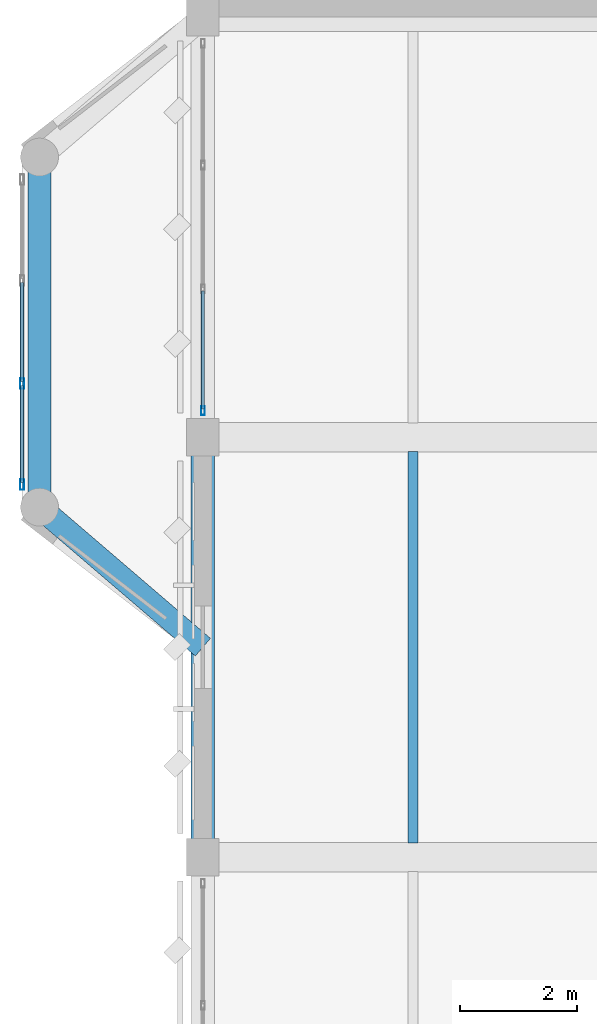
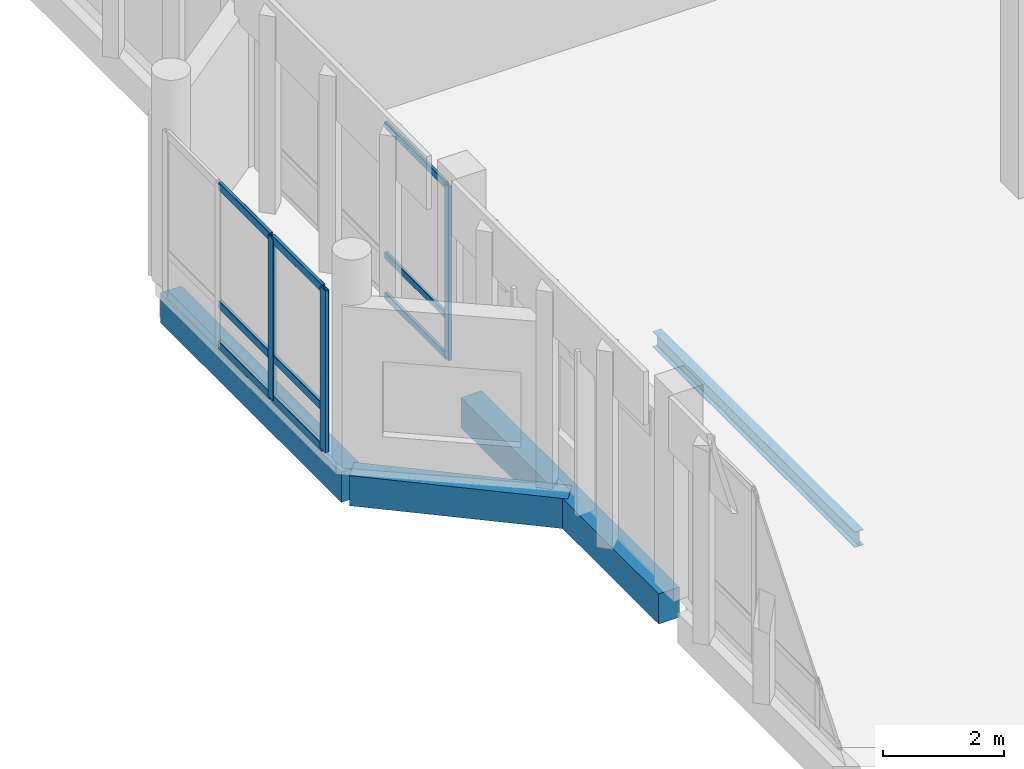
# One storey, part 11 of 158: 12 members, 4 beams, 2 elements without a shape of their own.
"""IFC4 building model written with IfcOpenShell, lengths in metres."""

from ifc_helpers import new_model, si_unit, direction, frame, origin, origin_2d, place, context, subcontext, project, spatial, rectangle, hollow_rectangle, i_section, extrude, material, material_profile, profile_set, type_object, element, aggregate, save


model = new_model("IFC4")

# Units and contexts
model_context = context("Model", 3, precision=1e-05, world=origin(), true_north=direction((0.0, 1.0)))
body_context = subcontext(model_context, "Body", "Model", "MODEL_VIEW")
ifc_project = project(units=[si_unit("LENGTHUNIT", "METRE"), si_unit("AREAUNIT", "SQUARE_METRE"), si_unit("VOLUMEUNIT", "CUBIC_METRE"), si_unit("PLANEANGLEUNIT", "RADIAN"), si_unit("MASSUNIT", "GRAM", prefix="KILO")], contexts=[model_context])

# Site, building, storey
site_placement = place(None, origin())
site = spatial("IfcSite", under=ifc_project, at=site_placement, CompositionType="ELEMENT")
building_placement = place(site_placement, origin())
building = spatial("IfcBuilding", under=site, at=building_placement, Name="Lusvemor Sports Hall", CompositionType="ELEMENT")
storey_placement = place(building_placement, frame((0.0, 0.0, 10.800048828125)))
storey = spatial("IfcBuildingStorey", under=building, at=storey_placement, Name="L02", CompositionType="ELEMENT", Elevation=10.800048828125)

# Curtain wall, members
ifc_material_1 = material(Name="Thermally broken bronze-anodized aluminium", Category="aluminium")
curtain_wall_type_1 = type_object("IfcCurtainWallType", Name="CW_FOYER_A", PredefinedType="NOTDEFINED", material=ifc_material_1)
curtain_wall_1_placement = place(storey_placement, origin())
curtain_wall_1 = element("IfcCurtainWall", 1, at=curtain_wall_1_placement, inside=storey, type_object=curtain_wall_type_1, Name="Curtain Wall CW-BOW-W1-L02-M", PredefinedType="NOTDEFINED")
ifc_material_2 = material(Name="Thermally broken bronze-anodized aluminium", Category="aluminium")
ifc_material_profile_1 = material_profile(ifc_material_2, hollow_rectangle(XDim=0.070068359375, YDim=0.179931640625, WallThickness=0.0048828125, InnerFilletRadius=0.0048828125, OuterFilletRadius=0.010009765625, at=origin_2d()), Name="CWMUL180x70x5")
ifc_profile_set_1 = profile_set([ifc_material_profile_1], Name="Thermally broken bronze-anodized aluminium")
member_type_1 = type_object("IfcMemberType", Name="CW_MUL_A", PredefinedType="MULLION", material=ifc_profile_set_1)
member_1_placement = place(storey_placement, frame((-3.10009765625, 60.385009765625, 0.0), z_axis=(0.0, 0.0, 1.0), x_axis=(-1.0, 0.0, 0.0)))
member_1 = element("IfcMember", 2, at=member_1_placement, type_object=member_type_1, Name="CW01 mullion 1", PredefinedType="MULLION", context=body_context, shape_type="SweptSolid", body=[
    extrude(hollow_rectangle(XDim=0.070068359375, YDim=0.179931640625, WallThickness=0.0048828125, InnerFilletRadius=0.0048828125, OuterFilletRadius=0.010009765625, at=origin_2d()), origin(), (0.0, 0.0, 1.0), 3.280029296875),
])
member_2_placement = place(storey_placement, frame((-3.10009765625, 62.11669921875, 0.0), z_axis=(0.0, 0.0, 1.0), x_axis=(-1.0, 0.0, 0.0)))
member_2 = element("IfcMember", 3, at=member_2_placement, type_object=member_type_1, Name="CW01 mullion 2", PredefinedType="MULLION", context=body_context, shape_type="SweptSolid", body=[
    extrude(hollow_rectangle(XDim=0.070068359375, YDim=0.179931640625, WallThickness=0.0048828125, InnerFilletRadius=0.0048828125, OuterFilletRadius=0.010009765625, at=origin_2d()), origin(), (0.0, 0.0, 1.0), 3.280029296875),
])

# Curtain wall, member
ifc_material_3 = material(Name="Thermally broken bronze-anodized aluminium", Category="aluminium")
curtain_wall_type_2 = type_object("IfcCurtainWallType", Name="CW_WING_B", PredefinedType="NOTDEFINED", material=ifc_material_3)
curtain_wall_2_placement = place(storey_placement, origin())
curtain_wall_2 = element("IfcCurtainWall", 4, at=curtain_wall_2_placement, inside=storey, type_object=curtain_wall_type_2, Name="Curtain Wall CW-L02-W-0-2", PredefinedType="NOTDEFINED")
ifc_material_4 = material(Name="Thermally broken bronze-anodized aluminium", Category="aluminium")
ifc_material_profile_2 = material_profile(ifc_material_4, hollow_rectangle(XDim=0.06494140625, YDim=0.14990234375, WallThickness=0.00390625, InnerFilletRadius=0.00390625, OuterFilletRadius=0.008056640625, at=origin_2d()), Name="CWMUL150x65x4")
ifc_profile_set_2 = profile_set([ifc_material_profile_2], Name="Thermally broken bronze-anodized aluminium")
member_type_2 = type_object("IfcMemberType", Name="CW_MUL_B", PredefinedType="MULLION", material=ifc_profile_set_2)
member_3_placement = place(storey_placement, frame((0.0, 61.652587890625, 0.0), z_axis=(0.0, 0.0, 1.0), x_axis=(-1.0, 0.0, 0.0)))
member_3 = element("IfcMember", 5, at=member_3_placement, type_object=member_type_2, Name="CW02 mullion 1", PredefinedType="MULLION", context=body_context, shape_type="SweptSolid", body=[
    extrude(hollow_rectangle(XDim=0.06494140625, YDim=0.14990234375, WallThickness=0.00390625, InnerFilletRadius=0.00390625, OuterFilletRadius=0.008056640625, at=origin_2d()), origin(), (0.0, 0.0, 1.0), 3.52001953125),
])

# Member
ifc_material_5 = material(Name="Thermally broken bronze-anodized aluminium", Category="aluminium")
ifc_material_profile_3 = material_profile(ifc_material_5, hollow_rectangle(XDim=0.06494140625, YDim=0.159912109375, WallThickness=0.00390625, InnerFilletRadius=0.00390625, OuterFilletRadius=0.008056640625, at=origin_2d()), Name="CWTRN160x65x4")
ifc_profile_set_3 = profile_set([ifc_material_profile_3], Name="Thermally broken bronze-anodized aluminium")
member_type_3 = type_object("IfcMemberType", Name="CW_TRN_A", PredefinedType="USERDEFINED", material=ifc_profile_set_3)
member_4_placement = place(storey_placement, frame((-3.10009765625, 60.419921875, 0.032470703125), z_axis=(0.0, 1.0, 0.0), x_axis=(-1.0, 0.0, 0.0)))
member_4 = element("IfcMember", 6, at=member_4_placement, type_object=member_type_3, Name="CW01 transom 1.1", ObjectType="TRANSOM", PredefinedType="USERDEFINED", context=body_context, shape_type="SweptSolid", body=[
    extrude(hollow_rectangle(XDim=0.06494140625, YDim=0.159912109375, WallThickness=0.00390625, InnerFilletRadius=0.00390625, OuterFilletRadius=0.008056640625, at=origin_2d()), origin(), (0.0, 0.0, 1.0), 1.661865234375),
])

member_5_placement = place(storey_placement, frame((-3.10009765625, 60.419921875, 0.849853515625), z_axis=(0.0, 1.0, 0.0), x_axis=(-1.0, 0.0, 0.0)))
member_5 = element("IfcMember", 7, at=member_5_placement, type_object=member_type_3, Name="CW01 transom 1.2", ObjectType="TRANSOM", PredefinedType="USERDEFINED", context=body_context, shape_type="SweptSolid", body=[
    extrude(hollow_rectangle(XDim=0.06494140625, YDim=0.159912109375, WallThickness=0.00390625, InnerFilletRadius=0.00390625, OuterFilletRadius=0.008056640625, at=origin_2d()), origin(), (0.0, 0.0, 1.0), 1.661865234375),
])

member_6_placement = place(storey_placement, frame((-3.10009765625, 60.419921875, 3.24755859375), z_axis=(0.0, 1.0, 0.0), x_axis=(-1.0, 0.0, 0.0)))
member_6 = element("IfcMember", 8, at=member_6_placement, type_object=member_type_3, Name="CW01 transom 1.3", ObjectType="TRANSOM", PredefinedType="USERDEFINED", context=body_context, shape_type="SweptSolid", body=[
    extrude(hollow_rectangle(XDim=0.06494140625, YDim=0.159912109375, WallThickness=0.00390625, InnerFilletRadius=0.00390625, OuterFilletRadius=0.008056640625, at=origin_2d()), origin(), (0.0, 0.0, 1.0), 1.661865234375),
])

member_7_placement = place(storey_placement, frame((-3.10009765625, 62.151611328125, 0.032470703125), z_axis=(0.0, 1.0, 0.0), x_axis=(-1.0, 0.0, 0.0)))
member_7 = element("IfcMember", 9, at=member_7_placement, type_object=member_type_3, Name="CW01 transom 2.1", ObjectType="TRANSOM", PredefinedType="USERDEFINED", context=body_context, shape_type="SweptSolid", body=[
    extrude(hollow_rectangle(XDim=0.06494140625, YDim=0.159912109375, WallThickness=0.00390625, InnerFilletRadius=0.00390625, OuterFilletRadius=0.008056640625, at=origin_2d()), origin(), (0.0, 0.0, 1.0), 1.69677734375),
])

member_8_placement = place(storey_placement, frame((-3.10009765625, 62.151611328125, 0.849853515625), z_axis=(0.0, 1.0, 0.0), x_axis=(-1.0, 0.0, 0.0)))
member_8 = element("IfcMember", 10, at=member_8_placement, type_object=member_type_3, Name="CW01 transom 2.2", ObjectType="TRANSOM", PredefinedType="USERDEFINED", context=body_context, shape_type="SweptSolid", body=[
    extrude(hollow_rectangle(XDim=0.06494140625, YDim=0.159912109375, WallThickness=0.00390625, InnerFilletRadius=0.00390625, OuterFilletRadius=0.008056640625, at=origin_2d()), origin(), (0.0, 0.0, 1.0), 1.69677734375),
])

member_9_placement = place(storey_placement, frame((-3.10009765625, 62.151611328125, 3.24755859375), z_axis=(0.0, 1.0, 0.0), x_axis=(-1.0, 0.0, 0.0)))
member_9 = element("IfcMember", 11, at=member_9_placement, type_object=member_type_3, Name="CW01 transom 2.3", ObjectType="TRANSOM", PredefinedType="USERDEFINED", context=body_context, shape_type="SweptSolid", body=[
    extrude(hollow_rectangle(XDim=0.06494140625, YDim=0.159912109375, WallThickness=0.00390625, InnerFilletRadius=0.00390625, OuterFilletRadius=0.008056640625, at=origin_2d()), origin(), (0.0, 0.0, 1.0), 1.69677734375),
])

aggregate(curtain_wall_1, [member_1, member_2, member_4, member_5, member_6, member_7, member_8, member_9])

ifc_material_6 = material(Name="Thermally broken bronze-anodized aluminium", Category="aluminium")
ifc_material_profile_4 = material_profile(ifc_material_6, hollow_rectangle(XDim=0.06005859375, YDim=0.135009765625, WallThickness=0.00390625, InnerFilletRadius=0.00390625, OuterFilletRadius=0.008056640625, at=origin_2d()), Name="CWTRN135x60x4")
ifc_profile_set_4 = profile_set([ifc_material_profile_4], Name="Thermally broken bronze-anodized aluminium")
member_type_4 = type_object("IfcMemberType", Name="CW_TRN_B", PredefinedType="USERDEFINED", material=ifc_profile_set_4)
member_10_placement = place(storey_placement, frame((0.0, 61.68505859375, 0.030029296875), z_axis=(0.0, 1.0, 0.0), x_axis=(-1.0, 0.0, 0.0)))
member_10 = element("IfcMember", 12, at=member_10_placement, type_object=member_type_4, Name="CW02 transom 1.1", ObjectType="TRANSOM", PredefinedType="USERDEFINED", context=body_context, shape_type="SweptSolid", body=[
    extrude(hollow_rectangle(XDim=0.06005859375, YDim=0.135009765625, WallThickness=0.00390625, InnerFilletRadius=0.00390625, OuterFilletRadius=0.008056640625, at=origin_2d()), origin(), (0.0, 0.0, 1.0), 2.0224609375),
])

member_11_placement = place(storey_placement, frame((0.0, 61.68505859375, 0.849853515625), z_axis=(0.0, 1.0, 0.0), x_axis=(-1.0, 0.0, 0.0)))
member_11 = element("IfcMember", 13, at=member_11_placement, type_object=member_type_4, Name="CW02 transom 1.2", ObjectType="TRANSOM", PredefinedType="USERDEFINED", context=body_context, shape_type="SweptSolid", body=[
    extrude(hollow_rectangle(XDim=0.06005859375, YDim=0.135009765625, WallThickness=0.00390625, InnerFilletRadius=0.00390625, OuterFilletRadius=0.008056640625, at=origin_2d()), origin(), (0.0, 0.0, 1.0), 2.0224609375),
])

member_12_placement = place(storey_placement, frame((0.0, 61.68505859375, 3.489990234375), z_axis=(0.0, 1.0, 0.0), x_axis=(-1.0, 0.0, 0.0)))
member_12 = element("IfcMember", 14, at=member_12_placement, type_object=member_type_4, Name="CW02 transom 1.3", ObjectType="TRANSOM", PredefinedType="USERDEFINED", context=body_context, shape_type="SweptSolid", body=[
    extrude(hollow_rectangle(XDim=0.06005859375, YDim=0.135009765625, WallThickness=0.00390625, InnerFilletRadius=0.00390625, OuterFilletRadius=0.008056640625, at=origin_2d()), origin(), (0.0, 0.0, 1.0), 2.0224609375),
])

aggregate(curtain_wall_2, [member_3, member_10, member_11, member_12])

# Beams
ifc_material_7 = material(Name="Steel S355", Category="steel")
ifc_material_profile_5 = material_profile(ifc_material_7, i_section(OverallWidth=0.1669921875, OverallDepth=0.31689453125, WebThickness=0.007568359375, FlangeThickness=0.01318359375, FilletRadius=0.014892578125, at=origin_2d()), Name="W310x52.0")
ifc_profile_set_5 = profile_set([ifc_material_profile_5], Name="Steel S355")
beam_type_1 = type_object("IfcBeamType", Name="JOIST_ST_310M", PredefinedType="JOIST", material=ifc_profile_set_5)
beam_1_placement = place(storey_placement, frame((3.60009765625, 54.24609375, -0.422607421875), z_axis=(0.0, 1.0, 0.0), x_axis=(-1.0, 0.0, 0.0)))
element("IfcBeam", 15, at=beam_1_placement, inside=storey, type_object=beam_type_1, Name="Secondary Joist L02 1-2/G-H #1", PredefinedType="JOIST", context=body_context, shape_type="SweptSolid", body=[
    extrude(i_section(OverallWidth=0.1669921875, OverallDepth=0.31689453125, WebThickness=0.007568359375, FlangeThickness=0.01318359375, FilletRadius=0.014892578125, at=origin_2d()), origin(), (0.0, 0.0, 1.0), 6.7080078125),
])
ifc_material_8 = material(Name="Concrete C40/50", Category="concrete")
ifc_material_profile_6 = material_profile(ifc_material_8, rectangle(XDim=0.39990234375, YDim=0.610107421875, at=origin_2d()), Name="RC400x610")
ifc_profile_set_6 = profile_set([ifc_material_profile_6], Name="Concrete C40/50")
beam_type_2 = type_object("IfcBeamType", Name="SPAND_EXT_650", PredefinedType="SPANDREL", material=ifc_profile_set_6)
beam_2_placement = place(storey_placement, frame((0.0, 54.31591796875, -0.56494140625), z_axis=(0.0, 1.0, 0.0), x_axis=(-1.0, 0.0, 0.0)))
element("IfcBeam", 16, at=beam_2_placement, inside=storey, type_object=beam_type_2, Name="Beam L02 1:G-H", PredefinedType="SPANDREL", context=body_context, shape_type="SweptSolid", body=[
    extrude(rectangle(XDim=0.39990234375, YDim=0.610107421875, at=origin_2d()), origin(), (0.0, 0.0, 1.0), 6.568115234375),
])
beam_3_placement = place(storey_placement, frame((0.0, 57.60009765625, -0.56494140625), z_axis=(-0.759275294494, 0.650769565339, 0.0), x_axis=(-0.650769565339, -0.759275294494, 0.0)))
element("IfcBeam", 17, at=beam_3_placement, inside=storey, type_object=beam_type_2, Name="Bow Pavilion Edge Beam BOW-W1 L02-1", PredefinedType="SPANDREL", context=body_context, shape_type="SweptSolid", body=[
    extrude(rectangle(XDim=0.39990234375, YDim=0.610107421875, at=origin_2d()), origin(), (0.0, 0.0, 1.0), 3.687744140625),
])
beam_4_placement = place(storey_placement, frame((-2.800048828125, 60.0, -0.56494140625), z_axis=(0.0, 1.0, 0.0), x_axis=(-1.0, 0.0, 0.0)))
element("IfcBeam", 18, at=beam_4_placement, inside=storey, type_object=beam_type_2, Name="Bow Pavilion Edge Beam BOW-W1 L02-2", PredefinedType="SPANDREL", context=body_context, shape_type="SweptSolid", body=[
    extrude(rectangle(XDim=0.39990234375, YDim=0.610107421875, at=origin_2d()), origin(), (0.0, 0.0, 1.0), 6.0),
])

save(model, "model.ifc")
